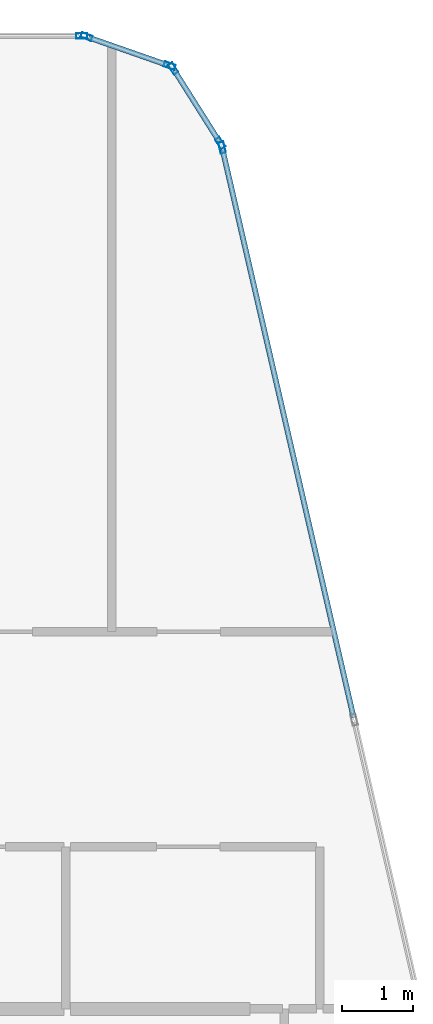
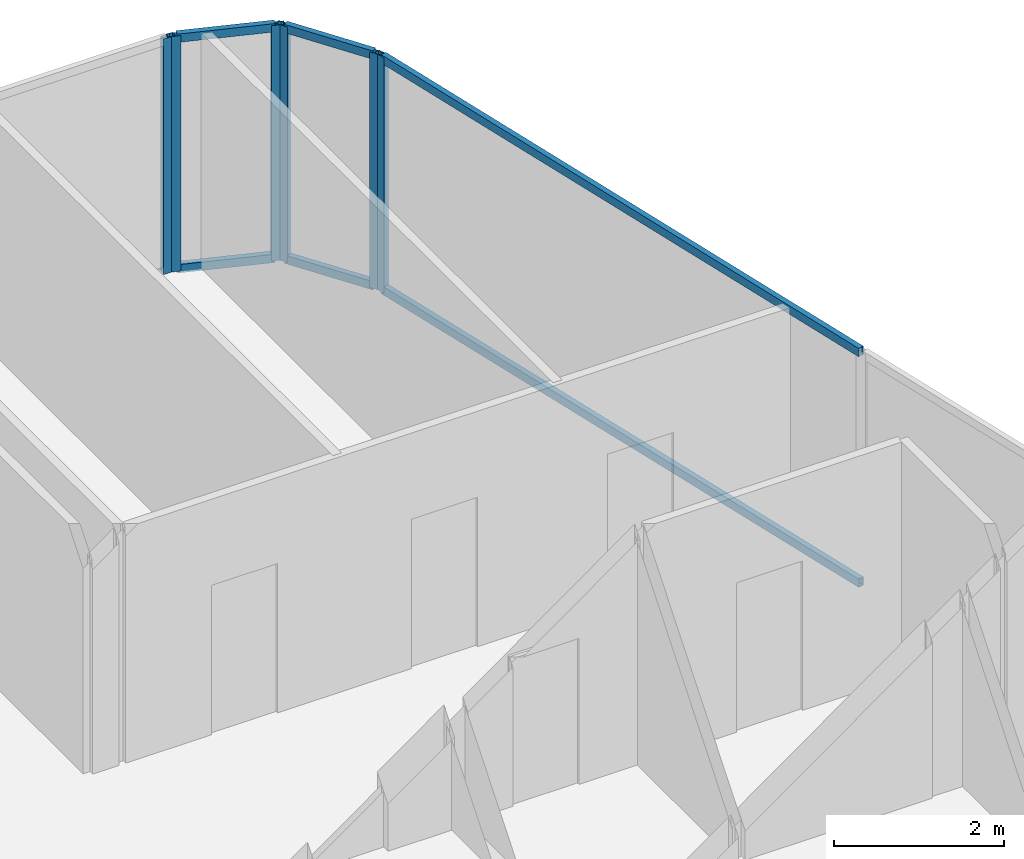
# One storey, part 21 of 29: 12 members, 4 elements without a shape of their own.
"""IFC4 building model written with IfcOpenShell, lengths in metres."""

from ifc_helpers import new_model, si_unit, direction, frame, origin, origin_2d, place, context, subcontext, project, spatial, hollow_rectangle, extrude, material, layer, layer_set, material_profile, profile_set, type_object, element, aggregate, save


model = new_model("IFC4")

# Units and contexts
model_context = context("Model", 3, precision=1e-05, world=origin(), true_north=direction((0.0, 1.0)))
body_context = subcontext(model_context, "Body", "Model", "MODEL_VIEW")
ifc_project = project(units=[si_unit("LENGTHUNIT", "METRE"), si_unit("AREAUNIT", "SQUARE_METRE"), si_unit("VOLUMEUNIT", "CUBIC_METRE"), si_unit("PLANEANGLEUNIT", "RADIAN"), si_unit("MASSUNIT", "GRAM", prefix="KILO")], contexts=[model_context])

# Site, building, storey
site_placement = place(None, origin())
site = spatial("IfcSite", under=ifc_project, at=site_placement, CompositionType="ELEMENT")
building_placement = place(site_placement, origin())
building = spatial("IfcBuilding", under=site, at=building_placement, Name="Keshet Zoharim Tower", CompositionType="ELEMENT")
storey_placement = place(building_placement, frame((0.0, 0.0, 192.10009765625)))
storey = spatial("IfcBuildingStorey", under=building, at=storey_placement, Name="L47", CompositionType="ELEMENT", Elevation=192.10009765625)

# Curtain wall, member
ifc_material = material(Name="Aluminium 6063-T6", Category="aluminium")
ifc_layer = layer(ifc_material, 0.139892578125)
ifc_layer_set = layer_set([ifc_layer], Name="Aluminium 6063-T6")
curtain_wall_type = type_object("IfcCurtainWallType", Name="CW-SYS-05", PredefinedType="NOTDEFINED", material=ifc_layer_set)
curtain_wall_1_placement = place(storey_placement, origin())
curtain_wall_1 = element("IfcCurtainWall", 1, at=curtain_wall_1_placement, inside=storey, type_object=curtain_wall_type, Name="L47 Unitised Curtain Wall 16 Part 3", PredefinedType="NOTDEFINED")
ifc_material_profile_1 = material_profile(ifc_material, hollow_rectangle(XDim=0.074951171875, YDim=0.159912109375, WallThickness=0.00390625, at=origin_2d()), Name="MUL-75x160")
ifc_profile_set_1 = profile_set([ifc_material_profile_1], Name="Aluminium 6063-T6")
member_type_1 = type_object("IfcMemberType", Name="CWM-M15", PredefinedType="MULLION", material=ifc_profile_set_1)
member_1_placement = place(storey_placement, frame((37.3740234375, 53.89990234375, 0.0), z_axis=(0.0, 0.0, 1.0), x_axis=(0.0, 1.0, 0.0)))
member_1 = element("IfcMember", 2, at=member_1_placement, type_object=member_type_1, Name="CW-05 mullion 3", PredefinedType="MULLION", context=body_context, shape_type="SweptSolid", body=[
    extrude(hollow_rectangle(XDim=0.074951171875, YDim=0.159912109375, WallThickness=0.00390625, at=origin_2d()), origin(), (0.0, 0.0, 1.0), 3.389892578125),
])
aggregate(curtain_wall_1, [member_1])

# Curtain wall, members
curtain_wall_2_placement = place(storey_placement, origin())
curtain_wall_2 = element("IfcCurtainWall", 3, at=curtain_wall_2_placement, inside=storey, type_object=curtain_wall_type, Name="L47 Unitised Curtain Wall 17", PredefinedType="NOTDEFINED")
member_2_placement = place(storey_placement, frame((37.442138671875, 53.888427734375, 0.0), z_axis=(0.0, 0.0, 1.0), x_axis=(0.329843743636, 0.944035542119, 0.0)))
member_2 = element("IfcMember", 4, at=member_2_placement, type_object=member_type_1, Name="CW-05 mullion 1", PredefinedType="MULLION", context=body_context, shape_type="SweptSolid", body=[
    extrude(hollow_rectangle(XDim=0.074951171875, YDim=0.159912109375, WallThickness=0.00390625, at=origin_2d()), origin(), (0.0, 0.0, 1.0), 3.389892578125),
])
member_3_placement = place(storey_placement, frame((38.620849609375, 53.4765625, 0.0), z_axis=(0.0, 0.0, 1.0), x_axis=(0.329843743636, 0.944035542119, 0.0)))
member_3 = element("IfcMember", 5, at=member_3_placement, type_object=member_type_1, Name="CW-05 mullion 2", PredefinedType="MULLION", context=body_context, shape_type="SweptSolid", body=[
    extrude(hollow_rectangle(XDim=0.074951171875, YDim=0.159912109375, WallThickness=0.00390625, at=origin_2d()), origin(), (0.0, 0.0, 1.0), 3.389892578125),
])

curtain_wall_3_placement = place(storey_placement, origin())
curtain_wall_3 = element("IfcCurtainWall", 6, at=curtain_wall_3_placement, inside=storey, type_object=curtain_wall_type, Name="L47 Unitised Curtain Wall 18", PredefinedType="NOTDEFINED")
member_4_placement = place(storey_placement, frame((38.672607421875, 53.435302734375, 0.0), z_axis=(0.0, 0.0, 1.0), x_axis=(0.845560976183, 0.533878858502, 0.0)))
member_4 = element("IfcMember", 7, at=member_4_placement, type_object=member_type_1, Name="CW-05 mullion 1", PredefinedType="MULLION", context=body_context, shape_type="SweptSolid", body=[
    extrude(hollow_rectangle(XDim=0.074951171875, YDim=0.159912109375, WallThickness=0.00390625, at=origin_2d()), origin(), (0.0, 0.0, 1.0), 3.389892578125),
])
member_5_placement = place(storey_placement, frame((39.33935546875, 52.379638671875, 0.0), z_axis=(0.0, 0.0, 1.0), x_axis=(0.845560976183, 0.533878858502, 0.0)))
member_5 = element("IfcMember", 8, at=member_5_placement, type_object=member_type_1, Name="CW-05 mullion 2", PredefinedType="MULLION", context=body_context, shape_type="SweptSolid", body=[
    extrude(hollow_rectangle(XDim=0.074951171875, YDim=0.159912109375, WallThickness=0.00390625, at=origin_2d()), origin(), (0.0, 0.0, 1.0), 3.389892578125),
])

# Curtain wall, member
curtain_wall_4_placement = place(storey_placement, origin())
curtain_wall_4 = element("IfcCurtainWall", 9, at=curtain_wall_4_placement, inside=storey, type_object=curtain_wall_type, Name="L47 Unitised Curtain Wall 19", PredefinedType="NOTDEFINED")
member_6_placement = place(storey_placement, frame((39.365966796875, 52.31591796875, 0.0), z_axis=(0.0, 0.0, 1.0), x_axis=(0.974393882313, 0.224847864369, 0.0)))
member_6 = element("IfcMember", 10, at=member_6_placement, type_object=member_type_1, Name="CW-05 mullion 1", PredefinedType="MULLION", context=body_context, shape_type="SweptSolid", body=[
    extrude(hollow_rectangle(XDim=0.074951171875, YDim=0.159912109375, WallThickness=0.00390625, at=origin_2d()), origin(), (0.0, 0.0, 1.0), 3.389892578125),
])

# Member
ifc_material_profile_2 = material_profile(ifc_material, hollow_rectangle(XDim=0.074951171875, YDim=0.1201171875, WallThickness=0.00390625, at=origin_2d()), Name="TRN-75x120")
ifc_profile_set_2 = profile_set([ifc_material_profile_2], Name="Aluminium 6063-T6")
member_type_2 = type_object("IfcMemberType", Name="CWT-T12", PredefinedType="USERDEFINED", material=ifc_profile_set_2)
member_7_placement = place(storey_placement, frame((37.47509765625, 53.876953125, 0.034912109375), z_axis=(0.944006789648, -0.329926023675, 0.0), x_axis=(0.329926023675, 0.944006789648, 0.0)))
member_7 = element("IfcMember", 11, at=member_7_placement, type_object=member_type_2, Name="CW-05 transom 1.1", ObjectType="TRANSOM", PredefinedType="USERDEFINED", context=body_context, shape_type="SweptSolid", body=[
    extrude(hollow_rectangle(XDim=0.074951171875, YDim=0.1201171875, WallThickness=0.00390625, at=origin_2d()), origin(), (0.0, 0.0, 1.0), 1.1787109375),
])

member_8_placement = place(storey_placement, frame((37.47509765625, 53.876953125, 3.35498046875), z_axis=(0.944006789648, -0.329926023675, 0.0), x_axis=(0.329926023675, 0.944006789648, 0.0)))
member_8 = element("IfcMember", 12, at=member_8_placement, type_object=member_type_2, Name="CW-05 transom 1.2", ObjectType="TRANSOM", PredefinedType="USERDEFINED", context=body_context, shape_type="SweptSolid", body=[
    extrude(hollow_rectangle(XDim=0.074951171875, YDim=0.1201171875, WallThickness=0.00390625, at=origin_2d()), origin(), (0.0, 0.0, 1.0), 1.1787109375),
])

aggregate(curtain_wall_2, [member_2, member_3, member_7, member_8])

member_9_placement = place(storey_placement, frame((38.69140625, 53.40576171875, 0.034912109375), z_axis=(0.53382931122, -0.845592257819, 0.0), x_axis=(0.845592257819, 0.53382931122, 0.0)))
member_9 = element("IfcMember", 13, at=member_9_placement, type_object=member_type_2, Name="CW-05 transom 1.1", ObjectType="TRANSOM", PredefinedType="USERDEFINED", context=body_context, shape_type="SweptSolid", body=[
    extrude(hollow_rectangle(XDim=0.074951171875, YDim=0.1201171875, WallThickness=0.00390625, at=origin_2d()), origin(), (0.0, 0.0, 1.0), 1.178466796875),
])

member_10_placement = place(storey_placement, frame((38.69140625, 53.40576171875, 3.35498046875), z_axis=(0.53382931122, -0.845592257819, 0.0), x_axis=(0.845592257819, 0.53382931122, 0.0)))
member_10 = element("IfcMember", 14, at=member_10_placement, type_object=member_type_2, Name="CW-05 transom 1.2", ObjectType="TRANSOM", PredefinedType="USERDEFINED", context=body_context, shape_type="SweptSolid", body=[
    extrude(hollow_rectangle(XDim=0.074951171875, YDim=0.1201171875, WallThickness=0.00390625, at=origin_2d()), origin(), (0.0, 0.0, 1.0), 1.178466796875),
])

aggregate(curtain_wall_3, [member_4, member_5, member_9, member_10])

member_11_placement = place(storey_placement, frame((39.373779296875, 52.28173828125, 0.034912109375), z_axis=(0.224835758738, -0.974396675688, 0.0), x_axis=(0.974396675688, 0.224835758738, 0.0)))
member_11 = element("IfcMember", 15, at=member_11_placement, type_object=member_type_2, Name="CW-05 transom 1.1", ObjectType="TRANSOM", PredefinedType="USERDEFINED", context=body_context, shape_type="SweptSolid", body=[
    extrude(hollow_rectangle(XDim=0.074951171875, YDim=0.1201171875, WallThickness=0.00390625, at=origin_2d()), origin(), (0.0, 0.0, 1.0), 8.259033203125),
])

member_12_placement = place(storey_placement, frame((39.373779296875, 52.28173828125, 3.35498046875), z_axis=(0.224835758738, -0.974396675688, 0.0), x_axis=(0.974396675688, 0.224835758738, 0.0)))
member_12 = element("IfcMember", 16, at=member_12_placement, type_object=member_type_2, Name="CW-05 transom 1.2", ObjectType="TRANSOM", PredefinedType="USERDEFINED", context=body_context, shape_type="SweptSolid", body=[
    extrude(hollow_rectangle(XDim=0.074951171875, YDim=0.1201171875, WallThickness=0.00390625, at=origin_2d()), origin(), (0.0, 0.0, 1.0), 8.259033203125),
])

aggregate(curtain_wall_4, [member_6, member_11, member_12])

save(model, "model.ifc")
